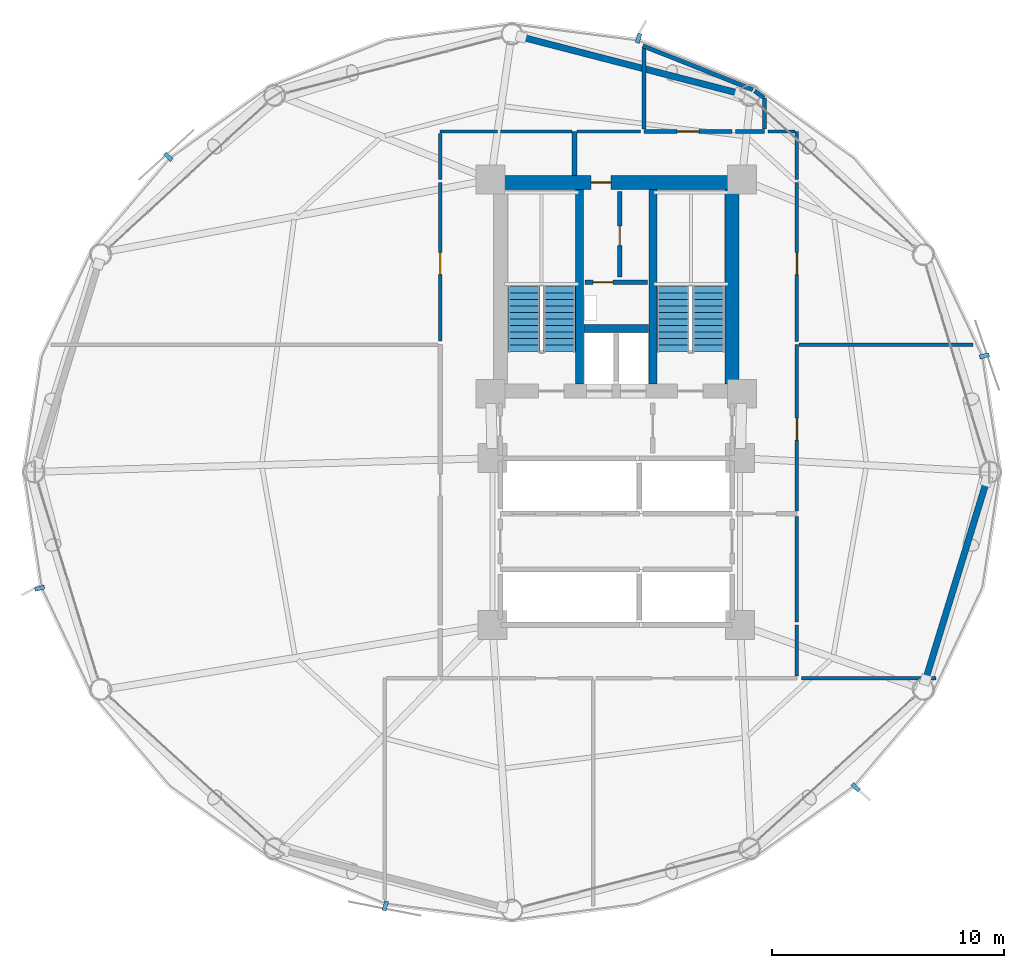
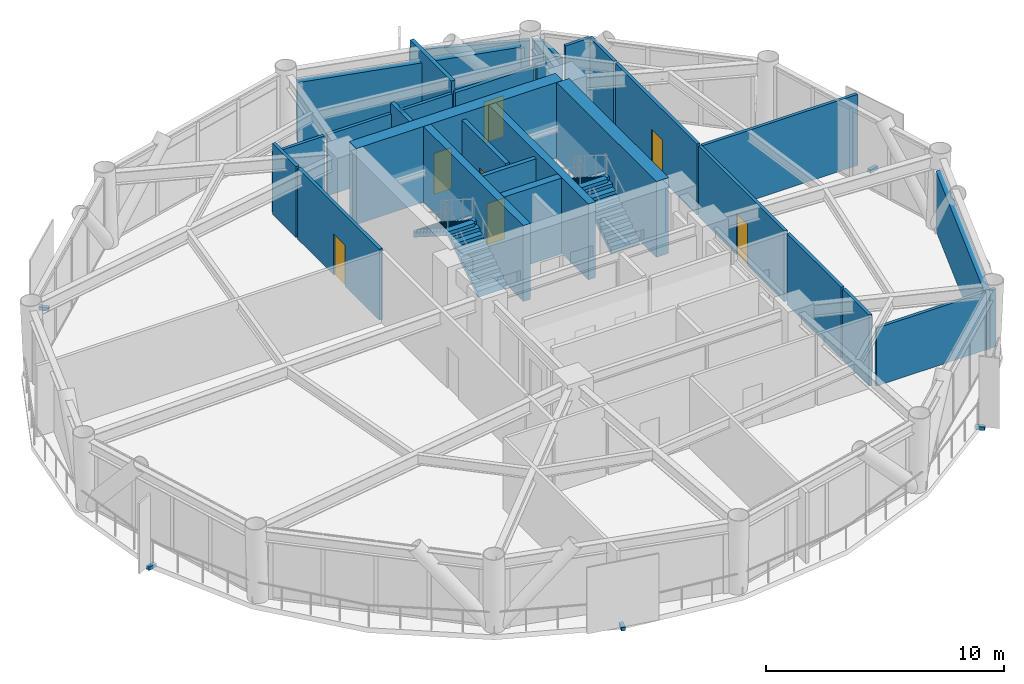
# One storey, part 22 of 25: 29 walls, 7 doors, 6 discrete accessories, 4 stair flights, 7 openings, 2 elements without a shape of their own.
"""IFC4 building model written with IfcOpenShell, lengths in metres."""

from ifc_helpers import new_model, si_unit, direction, frame, frame_2d, origin, origin_2d, place, context, subcontext, project, spatial, polyline, rectangle, outline, extrude, source, transform, mapped, material, layer, layer_set, type_object, type_shapes, element, fill, aggregate, save


model = new_model("IFC4")

# Units and contexts
model_context = context("Model", 3, precision=1e-05, world=origin(), true_north=direction((0.0, 1.0)))
body_context = subcontext(model_context, "Body", "Model", "MODEL_VIEW")
ifc_project = project(units=[si_unit("LENGTHUNIT", "METRE"), si_unit("AREAUNIT", "SQUARE_METRE"), si_unit("VOLUMEUNIT", "CUBIC_METRE"), si_unit("PLANEANGLEUNIT", "RADIAN"), si_unit("MASSUNIT", "GRAM", prefix="KILO")], contexts=[model_context])

# Site, building, storey
site_placement = place(None, origin())
site = spatial("IfcSite", under=ifc_project, at=site_placement, CompositionType="ELEMENT")
building_placement = place(site_placement, origin())
building = spatial("IfcBuilding", under=site, at=building_placement, Name="Varnakorn Sky Granary", CompositionType="ELEMENT")
storey_placement = place(building_placement, frame((0.0, 0.0, 39.300048828125)))
storey = spatial("IfcBuildingStorey", under=building, at=storey_placement, Name="L09", CompositionType="ELEMENT", Elevation=39.300048828125)

# Walls
ifc_material_1 = material(Name="Concrete C50/60", Category="concrete")
ifc_layer_1 = layer(ifc_material_1, 0.35009765625, Name="Concrete C50/60")
ifc_layer_set_1 = layer_set([ifc_layer_1], Name="Concrete C50/60")
wall_type_1 = type_object("IfcWallType", Name="WT-CW-INT-350", PredefinedType="SHEAR", material=ifc_layer_set_1)
for number, where, z_axis, x_axis, name in (
    (1, (1.419921875, 3.81005859375, 0.0), (0.0, 0.0, 1.0), (0.0, 1.0, 0.0), "Stair ST-1 Core Wall L09"),
    (2, (4.580078125, 3.81005859375, 0.0), (0.0, 0.0, 1.0), (0.0, 1.0, 0.0), "Stair ST-2 Core Wall L09"),
):
    element("IfcWall", number, at=place(storey_placement, frame(where, z_axis=z_axis, x_axis=x_axis)), inside=storey, type_object=wall_type_1, Name=name, PredefinedType="SHEAR", context=body_context, shape_type="SweptSolid", body=[
        extrude(rectangle(XDim=8.3798828125, YDim=0.35009765625, at=frame_2d((4.18994140625, 0.0))), origin(), (0.0, 0.0, 1.0), 3.891845703125),
    ])
wall_1_placement = place(storey_placement, frame((1.610107421875, 6.199951171875, 0.0), z_axis=(0.0, 0.0, 1.0), x_axis=(1.0, 0.0, 0.0)))
element("IfcWall", 3, at=wall_1_placement, inside=storey, type_object=wall_type_1, Name="Core Lift Shaft Cross Wall L09", PredefinedType="SHEAR", context=body_context, shape_type="SweptSolid", body=[
    extrude(rectangle(XDim=2.77978515625, YDim=0.35009765625, at=frame_2d((1.389892578125, 0.0))), origin(), (0.0, 0.0, 1.0), 3.891845703125),
])

# Wall, opening, door
ifc_material_2 = material(Name="Concrete C60/75", Category="concrete")
ifc_layer_2 = layer(ifc_material_2, 0.60009765625, Name="Concrete C60/75")
ifc_layer_set_2 = layer_set([ifc_layer_2], Name="Concrete C60/75")
wall_type_2 = type_object("IfcWallType", Name="WT-CW-SHEAR-600", PredefinedType="SHEAR", material=ifc_layer_set_2)
wall_2_placement = place(storey_placement, frame((-2.0, 12.5, 0.0), z_axis=(0.0, 0.0, 1.0), x_axis=(1.0, 0.0, 0.0)))
wall_2 = element("IfcWall", 4, at=wall_2_placement, inside=storey, type_object=wall_type_2, Name="Core North Shear Wall L09", PredefinedType="SHEAR", context=body_context, shape_type="SweptSolid", body=[
    extrude(rectangle(XDim=10.0, YDim=0.60009765625, at=frame_2d((5.0, 0.0))), origin(), (0.0, 0.0, 1.0), 3.891845703125),
])
opening_1_placement = place(wall_2_placement, frame((3.919921875, 0.0, 0.0)))
opening_1 = element("IfcOpeningElement", 5, at=opening_1_placement, cuts=wall_2, Name="Opening FD-60N", PredefinedType="OPENING", context=body_context, shape_type="SweptSolid", body=[
    extrude(rectangle(XDim=0.85009765625, YDim=2.10009765625, at=frame_2d((0.425048828125, 1.050048828125))), frame((0.0, 0.31005859375, 0.0), z_axis=(0.0, -1.0, 0.0), x_axis=(1.0, 0.0, 0.0)), (0.0, 0.0, 1.0), 0.6201171875),
])
ifc_material_3 = material(Name="Acoustic Timber Fire Leaf", Category="wood")
door_type_1 = type_object("IfcDoorType", Name="DR-FD60-850", OperationType="NOTDEFINED", PredefinedType="DOOR", material=ifc_material_3)
door_1_placement = place(opening_1_placement, origin())
door_1 = element("IfcDoor", 6, at=door_1_placement, inside=storey, type_object=door_type_1, Name="Core North Service Door L09", OperationType="SINGLE_SWING_LEFT", OverallHeight=2.10009765625, OverallWidth=0.85009765625, PredefinedType="DOOR", context=body_context, shape_type="SweptSolid", body=[
    extrude(rectangle(XDim=0.85009765625, YDim=2.10009765625, at=frame_2d((0.425048828125, 1.050048828125))), frame((0.0, 0.02490234375, 0.0), z_axis=(0.0, -1.0, 0.0), x_axis=(1.0, 0.0, 0.0)), (0.0, 0.0, 1.0), 0.050048828125),
])
fill(opening_1, door_1)

# Walls
wall_3_placement = place(storey_placement, frame((8.0, 3.81005859375, 0.0), z_axis=(0.0, 0.0, 1.0), x_axis=(0.0, 1.0, 0.0)))
element("IfcWall", 7, at=wall_3_placement, inside=storey, type_object=wall_type_2, Name="Core East Shear Wall L09", PredefinedType="SHEAR", context=body_context, shape_type="SweptSolid", body=[
    extrude(rectangle(XDim=8.3798828125, YDim=0.60009765625, at=frame_2d((4.18994140625, 0.0))), origin(), (0.0, 0.0, 1.0), 3.891845703125),
])
ifc_material_4 = material(Name="Precast concrete C40/50", Category="concrete")
ifc_layer_3 = layer(ifc_material_4, 0.280029296875, Name="Precast concrete C40/50")
ifc_layer_set_3 = layer_set([ifc_layer_3], Name="Precast concrete C40/50")
wall_type_3 = type_object("IfcWallType", Name="WT-EW-CRN-280", PredefinedType="SOLIDWALL", material=ifc_layer_set_3)
wall_4_placement = place(storey_placement, frame((-1.10107421875, 18.77978515625, 0.0), z_axis=(0.0, 0.0, 1.0), x_axis=(0.968156017529, -0.250347609779, 0.0)))
element("IfcWall", 8, at=wall_4_placement, inside=storey, type_object=wall_type_3, Name="Agritech Insulated Precast Facade Wall L09-P03", PredefinedType="SOLIDWALL", context=body_context, shape_type="SweptSolid", body=[
    extrude(rectangle(XDim=9.748046875, YDim=0.280029296875, at=frame_2d((4.8740234375, 0.0))), origin(), (0.0, 0.0, 1.0), 3.06005859375),
])
wall_5_placement = place(storey_placement, frame((18.985107421875, -0.393798828125, 0.0), z_axis=(0.0, 0.0, 1.0), x_axis=(-0.293459272164, -0.955971576764, 0.0)))
element("IfcWall", 9, at=wall_5_placement, inside=storey, type_object=wall_type_3, Name="Agritech Insulated Precast Facade Wall L09-P12", PredefinedType="SOLIDWALL", context=body_context, shape_type="SweptSolid", body=[
    extrude(rectangle(XDim=8.981689453125, YDim=0.280029296875, at=frame_2d((4.49072265625, 0.0))), origin(), (0.0, 0.0, 1.0), 3.06005859375),
])

# Wall, opening, door
ifc_material_5 = material(Name="Autoclaved Aerated Concrete Blockwork", Category="masonry")
ifc_layer_4 = layer(ifc_material_5, 0.199951171875, Name="Autoclaved Aerated Concrete Blockwork")
ifc_layer_set_4 = layer_set([ifc_layer_4], Name="Autoclaved Aerated Concrete Blockwork")
wall_type_4 = type_object("IfcWallType", Name="WT-FIRE-200", PredefinedType="MOVABLE", material=ifc_layer_set_4)
wall_6_placement = place(storey_placement, frame((1.64990234375, 8.199951171875, 0.0), z_axis=(0.0, 0.0, 1.0), x_axis=(1.0, 0.0, 0.0)))
wall_6 = element("IfcWall", 10, at=wall_6_placement, inside=storey, type_object=wall_type_4, Name="Interior Partition Wall L09-015", PredefinedType="MOVABLE", context=body_context, shape_type="SweptSolid", body=[
    extrude(rectangle(XDim=2.7001953125, YDim=0.199951171875, at=frame_2d((1.35009765625, 0.0))), origin(), (0.0, 0.0, 1.0), 3.639892578125),
])
opening_2_placement = place(wall_6_placement, frame((0.35009765625, 0.0, 0.0)))
opening_2 = element("IfcOpeningElement", 11, at=opening_2_placement, cuts=wall_6, Name="Opening FD-60N", PredefinedType="OPENING", context=body_context, shape_type="SweptSolid", body=[
    extrude(rectangle(XDim=0.85009765625, YDim=2.10009765625, at=frame_2d((0.425048828125, 1.050048828125))), frame((0.0, 0.10986328125, 0.0), z_axis=(0.0, -1.0, 0.0), x_axis=(1.0, 0.0, 0.0)), (0.0, 0.0, 1.0), 0.219970703125),
])
door_2_placement = place(opening_2_placement, origin())
door_2 = element("IfcDoor", 12, at=door_2_placement, inside=storey, type_object=door_type_1, Name="Interior Door L09-015-1", OperationType="SINGLE_SWING_RIGHT", OverallHeight=2.10009765625, OverallWidth=0.85009765625, PredefinedType="DOOR", context=body_context, shape_type="SweptSolid", body=[
    extrude(rectangle(XDim=0.85009765625, YDim=2.10009765625, at=frame_2d((0.425048828125, 1.050048828125))), frame((0.0, 0.02490234375, 0.0), z_axis=(0.0, -1.0, 0.0), x_axis=(1.0, 0.0, 0.0)), (0.0, 0.0, 1.0), 0.050048828125),
])
fill(opening_2, door_2)

wall_7_placement = place(storey_placement, frame((3.14990234375, 8.429931640625, 0.0), z_axis=(0.0, 0.0, 1.0), x_axis=(0.0, 1.0, 0.0)))
wall_7 = element("IfcWall", 13, at=wall_7_placement, inside=storey, type_object=wall_type_4, Name="Interior Partition Wall L09-016", PredefinedType="MOVABLE", context=body_context, shape_type="SweptSolid", body=[
    extrude(rectangle(XDim=3.670166015625, YDim=0.199951171875, at=frame_2d((1.8349609375, 0.0))), origin(), (0.0, 0.0, 1.0), 3.639892578125),
])
opening_3_placement = place(wall_7_placement, frame((1.340087890625, 0.0, 0.0)))
opening_3 = element("IfcOpeningElement", 14, at=opening_3_placement, cuts=wall_7, Name="Opening FD-60N", PredefinedType="OPENING", context=body_context, shape_type="SweptSolid", body=[
    extrude(rectangle(XDim=0.85009765625, YDim=2.10009765625, at=frame_2d((0.425048828125, 1.050048828125))), frame((0.0, 0.10986328125, 0.0), z_axis=(0.0, -1.0, 0.0), x_axis=(1.0, 0.0, 0.0)), (0.0, 0.0, 1.0), 0.219970703125),
])
door_3_placement = place(opening_3_placement, origin())
door_3 = element("IfcDoor", 15, at=door_3_placement, inside=storey, type_object=door_type_1, Name="Interior Door L09-016-1", OperationType="SINGLE_SWING_LEFT", OverallHeight=2.10009765625, OverallWidth=0.85009765625, PredefinedType="DOOR", context=body_context, shape_type="SweptSolid", body=[
    extrude(rectangle(XDim=0.85009765625, YDim=2.10009765625, at=frame_2d((0.425048828125, 1.050048828125))), frame((0.0, 0.02490234375, 0.0), z_axis=(0.0, -1.0, 0.0), x_axis=(1.0, 0.0, 0.0)), (0.0, 0.0, 1.0), 0.050048828125),
])
fill(opening_3, door_3)

# Wall
wall_8_placement = place(storey_placement, frame((1.199951171875, 14.699951171875, 0.0), z_axis=(0.0, 0.0, 1.0), x_axis=(0.0, -1.0, 0.0)))
element("IfcWall", 16, at=wall_8_placement, inside=storey, type_object=wall_type_4, Name="Interior Partition Wall L09-031", PredefinedType="MOVABLE", context=body_context, shape_type="SweptSolid", body=[
    extrude(rectangle(XDim=1.889892578125, YDim=0.199951171875, at=frame_2d((0.94482421875, 0.0))), origin(), (0.0, 0.0, 1.0), 3.639892578125),
])

# Wall, opening, door
ifc_material_6 = material(Name="Gypsum Plasterboard on Steel Stud", Category="steel")
ifc_layer_5 = layer(ifc_material_6, 0.14990234375, Name="Gypsum Plasterboard on Steel Stud")
ifc_layer_set_5 = layer_set([ifc_layer_5], Name="Gypsum Plasterboard on Steel Stud")
wall_type_5 = type_object("IfcWallType", Name="WT-PART-150", PredefinedType="PARTITIONING", material=ifc_layer_set_5)
wall_9_placement = place(storey_placement, frame((10.800048828125, -1.68994140625, 0.0), z_axis=(0.0, 0.0, 1.0), x_axis=(0.0, 1.0, 0.0)))
wall_9 = element("IfcWall", 17, at=wall_9_placement, inside=storey, type_object=wall_type_5, Name="Interior Partition Wall L09-027", PredefinedType="PARTITIONING", context=body_context, shape_type="SweptSolid", body=[
    extrude(rectangle(XDim=7.18994140625, YDim=0.14990234375, at=frame_2d((3.594970703125, 0.0))), origin(), (0.0, 0.0, 1.0), 3.639892578125),
])
opening_4_placement = place(wall_9_placement, frame((3.06494140625, 0.0, 0.0)))
opening_4 = element("IfcOpeningElement", 18, at=opening_4_placement, cuts=wall_9, Name="Opening ID-95", PredefinedType="OPENING", context=body_context, shape_type="SweptSolid", body=[
    extrude(rectangle(XDim=0.949951171875, YDim=2.10009765625, at=frame_2d((0.47509765625, 1.050048828125))), frame((0.0, 0.0849609375, 0.0), z_axis=(0.0, -1.0, 0.0), x_axis=(1.0, 0.0, 0.0)), (0.0, 0.0, 1.0), 0.169921875),
])
ifc_material_7 = material(Name="Solid-Core Teak Veneer Leaf", Category="timber")
door_type_2 = type_object("IfcDoorType", Name="DR-INT-950", OperationType="NOTDEFINED", PredefinedType="DOOR", material=ifc_material_7)
door_4_placement = place(opening_4_placement, origin())
door_4 = element("IfcDoor", 19, at=door_4_placement, inside=storey, type_object=door_type_2, Name="Interior Door L09-027-1", OperationType="SINGLE_SWING_RIGHT", OverallHeight=2.10009765625, OverallWidth=0.949951171875, PredefinedType="DOOR", context=body_context, shape_type="SweptSolid", body=[
    extrude(rectangle(XDim=0.949951171875, YDim=2.10009765625, at=frame_2d((0.47509765625, 1.050048828125))), frame((0.0, 0.02490234375, 0.0), z_axis=(0.0, -1.0, 0.0), x_axis=(1.0, 0.0, 0.0)), (0.0, 0.0, 1.0), 0.050048828125),
])
fill(opening_4, door_4)

wall_10_placement = place(storey_placement, frame((-4.60009765625, 12.5, 0.0), z_axis=(0.0, 0.0, 1.0), x_axis=(0.0, -1.0, 0.0)))
wall_10 = element("IfcWall", 20, at=wall_10_placement, inside=storey, type_object=wall_type_5, Name="Interior Partition Wall L09-028", PredefinedType="PARTITIONING", context=body_context, shape_type="SweptSolid", body=[
    extrude(rectangle(XDim=6.85009765625, YDim=0.14990234375, at=frame_2d((3.425048828125, 0.0))), origin(), (0.0, 0.0, 1.0), 3.639892578125),
])
opening_5_placement = place(wall_10_placement, frame((3.02490234375, 0.0, 0.0)))
opening_5 = element("IfcOpeningElement", 21, at=opening_5_placement, cuts=wall_10, Name="Opening ID-95", PredefinedType="OPENING", context=body_context, shape_type="SweptSolid", body=[
    extrude(rectangle(XDim=0.949951171875, YDim=2.10009765625, at=frame_2d((0.47509765625, 1.050048828125))), frame((0.0, 0.0849609375, 0.0), z_axis=(0.0, -1.0, 0.0), x_axis=(1.0, 0.0, 0.0)), (0.0, 0.0, 1.0), 0.169921875),
])
door_5_placement = place(opening_5_placement, origin())
door_5 = element("IfcDoor", 22, at=door_5_placement, inside=storey, type_object=door_type_2, Name="Interior Door L09-028-1", OperationType="SINGLE_SWING_LEFT", OverallHeight=2.10009765625, OverallWidth=0.949951171875, PredefinedType="DOOR", context=body_context, shape_type="SweptSolid", body=[
    extrude(rectangle(XDim=0.949951171875, YDim=2.10009765625, at=frame_2d((0.47509765625, 1.050048828125))), frame((0.0, 0.02490234375, 0.0), z_axis=(0.0, -1.0, 0.0), x_axis=(1.0, 0.0, 0.0)), (0.0, 0.0, 1.0), 0.050048828125),
])
fill(opening_5, door_5)

wall_11_placement = place(storey_placement, frame((10.800048828125, 5.635009765625, 0.0), z_axis=(0.0, 0.0, 1.0), x_axis=(0.0, 1.0, 0.0)))
wall_11 = element("IfcWall", 23, at=wall_11_placement, inside=storey, type_object=wall_type_5, Name="Interior Partition Wall L09-029", PredefinedType="PARTITIONING", context=body_context, shape_type="SweptSolid", body=[
    extrude(rectangle(XDim=6.864990234375, YDim=0.14990234375, at=frame_2d((3.4326171875, 0.0))), origin(), (0.0, 0.0, 1.0), 3.639892578125),
])
opening_6_placement = place(wall_11_placement, frame((2.889892578125, 0.0, 0.0)))
opening_6 = element("IfcOpeningElement", 24, at=opening_6_placement, cuts=wall_11, Name="Opening ID-95", PredefinedType="OPENING", context=body_context, shape_type="SweptSolid", body=[
    extrude(rectangle(XDim=0.949951171875, YDim=2.10009765625, at=frame_2d((0.47509765625, 1.050048828125))), frame((0.0, 0.0849609375, 0.0), z_axis=(0.0, -1.0, 0.0), x_axis=(1.0, 0.0, 0.0)), (0.0, 0.0, 1.0), 0.169921875),
])
door_6_placement = place(opening_6_placement, origin())
door_6 = element("IfcDoor", 25, at=door_6_placement, inside=storey, type_object=door_type_2, Name="Interior Door L09-029-1", OperationType="SINGLE_SWING_RIGHT", OverallHeight=2.10009765625, OverallWidth=0.949951171875, PredefinedType="DOOR", context=body_context, shape_type="SweptSolid", body=[
    extrude(rectangle(XDim=0.949951171875, YDim=2.10009765625, at=frame_2d((0.47509765625, 1.050048828125))), frame((0.0, 0.02490234375, 0.0), z_axis=(0.0, -1.0, 0.0), x_axis=(1.0, 0.0, 0.0)), (0.0, 0.0, 1.0), 0.050048828125),
])
fill(opening_6, door_6)

# Walls
wall_12_placement = place(storey_placement, frame((11.0, -8.89990234375, 0.0), z_axis=(0.0, 0.0, 1.0), x_axis=(1.0, 0.0, 0.0)))
element("IfcWall", 26, at=wall_12_placement, inside=storey, type_object=wall_type_5, Name="Interior Partition Wall L09-038", PredefinedType="PARTITIONING", context=body_context, shape_type="SweptSolid", body=[
    extrude(rectangle(XDim=5.7939453125, YDim=0.14990234375, at=frame_2d((2.89697265625, 0.0))), origin(), (0.0, 0.0, 1.0), 2.971923828125),
])
wall_13_placement = place(storey_placement, frame((10.800048828125, -8.81494140625, 0.0), z_axis=(0.0, 0.0, 1.0), x_axis=(0.0, 1.0, 0.0)))
element("IfcWall", 27, at=wall_13_placement, inside=storey, type_object=wall_type_5, Name="Interior Partition Wall L09-041", PredefinedType="PARTITIONING", context=body_context, shape_type="SweptSolid", body=[
    extrude(rectangle(XDim=2.21484375, YDim=0.14990234375, at=frame_2d((1.107421875, 0.0))), origin(), (0.0, 0.0, 1.0), 3.639892578125),
])
wall_14_placement = place(storey_placement, frame((10.800048828125, -6.465087890625, 0.0), z_axis=(0.0, 0.0, 1.0), x_axis=(0.0, 1.0, 0.0)))
element("IfcWall", 28, at=wall_14_placement, inside=storey, type_object=wall_type_5, Name="Interior Partition Wall L09-042", PredefinedType="PARTITIONING", context=body_context, shape_type="SweptSolid", body=[
    extrude(rectangle(XDim=4.55517578125, YDim=0.14990234375, at=frame_2d((2.277587890625, 0.0))), origin(), (0.0, 0.0, 1.0), 3.639892578125),
])
wall_15_placement = place(storey_placement, frame((10.885009765625, 5.5, 0.0), z_axis=(0.0, 0.0, 1.0), x_axis=(1.0, 0.0, 0.0)))
element("IfcWall", 29, at=wall_15_placement, inside=storey, type_object=wall_type_5, Name="Interior Partition Wall L09-043", PredefinedType="PARTITIONING", context=body_context, shape_type="SweptSolid", body=[
    extrude(rectangle(XDim=7.51708984375, YDim=0.14990234375, at=frame_2d((3.758544921875, 0.0))), origin(), (0.0, 0.0, 1.0), 3.639892578125),
])
wall_16_placement = place(storey_placement, frame((1.090087890625, 14.699951171875, 0.0), z_axis=(0.0, 0.0, 1.0), x_axis=(-1.0, 0.0, 0.0)))
element("IfcWall", 30, at=wall_16_placement, inside=storey, type_object=wall_type_5, Name="Interior Partition Wall L09-044", PredefinedType="PARTITIONING", context=body_context, shape_type="SweptSolid", body=[
    extrude(rectangle(XDim=3.090087890625, YDim=0.14990234375, at=frame_2d((1.544921875, 0.0))), origin(), (0.0, 0.0, 1.0), 3.1220703125),
])
wall_17_placement = place(storey_placement, frame((-2.135009765625, 14.699951171875, 0.0), z_axis=(0.0, 0.0, 1.0), x_axis=(-1.0, 0.0, 0.0)))
element("IfcWall", 31, at=wall_17_placement, inside=storey, type_object=wall_type_5, Name="Interior Partition Wall L09-045", PredefinedType="PARTITIONING", context=body_context, shape_type="SweptSolid", body=[
    extrude(rectangle(XDim=2.465087890625, YDim=0.14990234375, at=frame_2d((1.232421875, 0.0))), origin(), (0.0, 0.0, 1.0), 3.1220703125),
])
wall_18_placement = place(storey_placement, frame((-4.60009765625, 14.614990234375, 0.0), z_axis=(0.0, 0.0, 1.0), x_axis=(0.0, -1.0, 0.0)))
element("IfcWall", 32, at=wall_18_placement, inside=storey, type_object=wall_type_5, Name="Interior Partition Wall L09-046", PredefinedType="PARTITIONING", context=body_context, shape_type="SweptSolid", body=[
    extrude(rectangle(XDim=1.97998046875, YDim=0.14990234375, at=frame_2d((0.989990234375, 0.0))), origin(), (0.0, 0.0, 1.0), 3.639892578125),
])
wall_19_placement = place(storey_placement, frame((4.050048828125, 14.699951171875, 0.0), z_axis=(0.0, 0.0, 1.0), x_axis=(-1.0, 0.0, 0.0)))
element("IfcWall", 33, at=wall_19_placement, inside=storey, type_object=wall_type_5, Name="Interior Partition Wall L09-047", PredefinedType="PARTITIONING", context=body_context, shape_type="SweptSolid", body=[
    extrude(rectangle(XDim=2.739990234375, YDim=0.14990234375, at=frame_2d((1.3701171875, 0.0))), origin(), (0.0, 0.0, 1.0), 3.1220703125),
])
wall_20_placement = place(storey_placement, frame((10.800048828125, 12.635009765625, 0.0), z_axis=(0.0, 0.0, 1.0), x_axis=(0.0, 1.0, 0.0)))
element("IfcWall", 34, at=wall_20_placement, inside=storey, type_object=wall_type_5, Name="Interior Partition Wall L09-050", PredefinedType="PARTITIONING", context=body_context, shape_type="SweptSolid", body=[
    extrude(rectangle(XDim=2.06494140625, YDim=0.14990234375, at=frame_2d((1.032470703125, 0.0))), origin(), (0.0, 0.0, 1.0), 3.639892578125),
])
wall_21_placement = place(storey_placement, frame((10.715087890625, 14.699951171875, 0.0), z_axis=(0.0, 0.0, 1.0), x_axis=(-1.0, 0.0, 0.0)))
element("IfcWall", 35, at=wall_21_placement, inside=storey, type_object=wall_type_5, Name="Interior Partition Wall L09-051", PredefinedType="PARTITIONING", context=body_context, shape_type="SweptSolid", body=[
    extrude(rectangle(XDim=1.1650390625, YDim=0.14990234375, at=frame_2d((0.58251953125, 0.0))), origin(), (0.0, 0.0, 1.0), 3.639892578125),
])

# Wall, opening, door
ifc_material_8 = material(Name="Moisture-Resistant Gypsum on Stud", Category="gypsum")
ifc_layer_6 = layer(ifc_material_8, 0.179931640625, Name="Moisture-Resistant Gypsum on Stud")
ifc_layer_set_6 = layer_set([ifc_layer_6], Name="Moisture-Resistant Gypsum on Stud")
wall_type_6 = type_object("IfcWallType", Name="WT-PLUMB-180", PredefinedType="PLUMBINGWALL", material=ifc_layer_set_6)
wall_22_placement = place(storey_placement, frame((8.0, 14.699951171875, 0.0), z_axis=(0.0, 0.0, 1.0), x_axis=(-1.0, 0.0, 0.0)))
wall_22 = element("IfcWall", 36, at=wall_22_placement, inside=storey, type_object=wall_type_6, Name="Interior Partition Wall L09-023", PredefinedType="PLUMBINGWALL", context=body_context, shape_type="SweptSolid", body=[
    extrude(rectangle(XDim=3.800048828125, YDim=0.179931640625, at=frame_2d((1.89990234375, 0.0))), origin(), (0.0, 0.0, 1.0), 3.1220703125),
])
opening_7_placement = place(wall_22_placement, frame((1.425048828125, 0.0, 0.0)))
opening_7 = element("IfcOpeningElement", 37, at=opening_7_placement, cuts=wall_22, Name="Opening ID-95", PredefinedType="OPENING", context=body_context, shape_type="SweptSolid", body=[
    extrude(rectangle(XDim=0.949951171875, YDim=2.10009765625, at=frame_2d((0.47509765625, 1.050048828125))), frame((0.0, 0.10009765625, 0.0), z_axis=(0.0, -1.0, 0.0), x_axis=(1.0, 0.0, 0.0)), (0.0, 0.0, 1.0), 0.199951171875),
])
door_7_placement = place(opening_7_placement, origin())
door_7 = element("IfcDoor", 38, at=door_7_placement, inside=storey, type_object=door_type_2, Name="Interior Door L09-023-1", OperationType="SINGLE_SWING_RIGHT", OverallHeight=2.10009765625, OverallWidth=0.949951171875, PredefinedType="DOOR", context=body_context, shape_type="SweptSolid", body=[
    extrude(rectangle(XDim=0.949951171875, YDim=2.10009765625, at=frame_2d((0.47509765625, 1.050048828125))), frame((0.0, 0.02490234375, 0.0), z_axis=(0.0, -1.0, 0.0), x_axis=(1.0, 0.0, 0.0)), (0.0, 0.0, 1.0), 0.050048828125),
])
fill(opening_7, door_7)

# Walls
wall_23_placement = place(storey_placement, frame((9.39990234375, 14.699951171875, 0.0), z_axis=(0.0, 0.0, 1.0), x_axis=(-1.0, 0.0, 0.0)))
element("IfcWall", 39, at=wall_23_placement, inside=storey, type_object=wall_type_6, Name="Interior Partition Wall L09-032", PredefinedType="PLUMBINGWALL", context=body_context, shape_type="SweptSolid", body=[
    extrude(rectangle(XDim=1.25, YDim=0.179931640625, at=frame_2d((0.625, 0.0))), origin(), (0.0, 0.0, 1.0), 3.1220703125),
])
wall_24_placement = place(storey_placement, frame((4.14404296875, 18.39892578125, 0.0), z_axis=(0.0, 0.0, 1.0), x_axis=(0.928766373998, -0.370665647897, 0.0)))
element("IfcWall", 40, at=wall_24_placement, inside=storey, type_object=wall_type_6, Name="Interior Partition Wall L09-048", PredefinedType="PLUMBINGWALL", context=body_context, shape_type="SweptSolid", body=[
    extrude(rectangle(XDim=5.10986328125, YDim=0.179931640625, at=frame_2d((2.554931640625, 0.0))), origin(), (0.0, 0.0, 1.0), 3.072021484375),
])
wall_25_placement = place(storey_placement, frame((4.199951171875, 18.27587890625, 0.0), z_axis=(0.0, 0.0, 1.0), x_axis=(0.0, -1.0, 0.0)))
element("IfcWall", 41, at=wall_25_placement, inside=storey, type_object=wall_type_6, Name="Interior Partition Wall L09-049", PredefinedType="PLUMBINGWALL", context=body_context, shape_type="SweptSolid", body=[
    extrude(rectangle(XDim=3.475830078125, YDim=0.179931640625, at=frame_2d((1.73779296875, 0.0))), origin(), (0.0, 0.0, 1.0), 3.639892578125),
])
wall_26_placement = place(storey_placement, frame((9.39990234375, 14.800048828125, 0.0), z_axis=(0.0, 0.0, 1.0), x_axis=(0.0, 1.0, 0.0)))
element("IfcWall", 42, at=wall_26_placement, inside=storey, type_object=wall_type_6, Name="Interior Partition Wall L09-052", PredefinedType="PLUMBINGWALL", context=body_context, shape_type="SweptSolid", body=[
    extrude(rectangle(XDim=1.33984375, YDim=0.179931640625, at=frame_2d((0.669921875, 0.0))), origin(), (0.0, 0.0, 1.0), 2.971923828125),
])
wall_27_placement = place(storey_placement, frame((8.970947265625, 16.447021484375, 0.0), z_axis=(0.0, 0.0, 1.0), x_axis=(0.813174117439, -0.582020493391, 0.0)))
element("IfcWall", 43, at=wall_27_placement, inside=storey, type_object=wall_type_6, Name="Interior Partition Wall L09-053", PredefinedType="PLUMBINGWALL", context=body_context, shape_type="SweptSolid", body=[
    extrude(rectangle(XDim=0.501708984375, YDim=0.179931640625, at=frame_2d((0.2509765625, 0.0))), origin(), (0.0, 0.0, 1.0), 3.072021484375),
])

# Stair, stair flights
ifc_material_9 = material(Name="Concrete C40/50", Category="concrete")
stair_type = type_object("IfcStairType", Name="ST-MAIN-ASSEMBLY", PredefinedType="HALF_TURN_STAIR", material=ifc_material_9)
stair_1_placement = place(storey_placement, origin())
stair_1 = element("IfcStair", 44, at=stair_1_placement, inside=storey, type_object=stair_type, Name="L09 Protected Exit Stair ST-1", PredefinedType="HALF_TURN_STAIR")
stair_flight_type = type_object("IfcStairFlightType", Name="ST-MAIN-FLIGHT", PredefinedType="STRAIGHT", material=ifc_material_9)
stair_flight_1_placement = place(storey_placement, frame((0.550048828125, 5.199951171875, 0.0), z_axis=(0.0, 0.0, 1.0), x_axis=(0.0, 1.0, 0.0)))
stair_flight_1 = element("IfcStairFlight", 45, at=stair_flight_1_placement, type_object=stair_flight_type, Name="ST-1 flight 1", NumberOfRisers=11, NumberOfTreads=10, PredefinedType="STRAIGHT", RiserHeight=0.177272727, TreadLength=0.28, context=body_context, shape_type="SweptSolid", body=[
    extrude(outline(polyline([(0.0, -0.14990234375), (0.0, 0.0), (0.0, 0.17724609375), (0.280029296875, 0.17724609375), (0.280029296875, 0.3544921875), (0.56005859375, 0.3544921875), (0.56005859375, 0.53173828125), (0.840087890625, 0.53173828125), (0.840087890625, 0.708984375), (1.1201171875, 0.708984375), (1.1201171875, 0.886474609375), (1.39990234375, 0.886474609375), (1.39990234375, 1.063720703125), (1.679931640625, 1.063720703125), (1.679931640625, 1.240966796875), (1.9599609375, 1.240966796875), (1.9599609375, 1.418212890625), (2.239990234375, 1.418212890625), (2.239990234375, 1.595458984375), (2.52001953125, 1.595458984375), (2.52001953125, 1.772705078125), (2.800048828125, 1.772705078125), (2.800048828125, 1.949951171875), (2.800048828125, 1.59521484375), (0.050048828125, -0.14990234375), (0.0, -0.14990234375)])), frame((0.0, 0.68994140625, 0.0), z_axis=(0.0, -1.0, 0.0), x_axis=(1.0, 0.0, 0.0)), (0.0, 0.0, 1.0), 1.3798828125),
])
stair_flight_2_placement = place(storey_placement, frame((-0.97998046875, 8.0, 1.949951171875), z_axis=(0.0, 0.0, 1.0), x_axis=(0.0, -1.0, 0.0)))
stair_flight_2 = element("IfcStairFlight", 46, at=stair_flight_2_placement, type_object=stair_flight_type, Name="ST-1 flight 2", NumberOfRisers=11, NumberOfTreads=10, PredefinedType="STRAIGHT", RiserHeight=0.177272727, TreadLength=0.28, context=body_context, shape_type="SweptSolid", body=[
    extrude(outline(polyline([(0.0, -0.14990234375), (0.0, 0.0), (0.0, 0.17724609375), (0.280029296875, 0.17724609375), (0.280029296875, 0.3544921875), (0.56005859375, 0.3544921875), (0.56005859375, 0.53173828125), (0.840087890625, 0.53173828125), (0.840087890625, 0.708984375), (1.1201171875, 0.708984375), (1.1201171875, 0.886474609375), (1.39990234375, 0.886474609375), (1.39990234375, 1.063720703125), (1.679931640625, 1.063720703125), (1.679931640625, 1.240966796875), (1.9599609375, 1.240966796875), (1.9599609375, 1.418212890625), (2.239990234375, 1.418212890625), (2.239990234375, 1.595458984375), (2.52001953125, 1.595458984375), (2.52001953125, 1.772705078125), (2.800048828125, 1.772705078125), (2.800048828125, 1.949951171875), (2.800048828125, 1.59521484375), (0.050048828125, -0.14990234375), (0.0, -0.14990234375)])), frame((0.0, 0.68994140625, 0.0), z_axis=(0.0, -1.0, 0.0), x_axis=(1.0, 0.0, 0.0)), (0.0, 0.0, 1.0), 1.3798828125),
])
aggregate(stair_1, [stair_flight_1, stair_flight_2])

stair_2_placement = place(storey_placement, origin())
stair_2 = element("IfcStair", 47, at=stair_2_placement, inside=storey, type_object=stair_type, Name="L09 Protected Exit Stair ST-2", PredefinedType="HALF_TURN_STAIR")
stair_flight_3_placement = place(storey_placement, frame((6.989990234375, 5.199951171875, 0.0), z_axis=(0.0, 0.0, 1.0), x_axis=(0.0, 1.0, 0.0)))
stair_flight_3 = element("IfcStairFlight", 48, at=stair_flight_3_placement, type_object=stair_flight_type, Name="ST-2 flight 1", NumberOfRisers=11, NumberOfTreads=10, PredefinedType="STRAIGHT", RiserHeight=0.177272727, TreadLength=0.28, context=body_context, shape_type="SweptSolid", body=[
    extrude(outline(polyline([(0.0, -0.14990234375), (0.0, 0.0), (0.0, 0.17724609375), (0.280029296875, 0.17724609375), (0.280029296875, 0.3544921875), (0.56005859375, 0.3544921875), (0.56005859375, 0.53173828125), (0.840087890625, 0.53173828125), (0.840087890625, 0.708984375), (1.1201171875, 0.708984375), (1.1201171875, 0.886474609375), (1.39990234375, 0.886474609375), (1.39990234375, 1.063720703125), (1.679931640625, 1.063720703125), (1.679931640625, 1.240966796875), (1.9599609375, 1.240966796875), (1.9599609375, 1.418212890625), (2.239990234375, 1.418212890625), (2.239990234375, 1.595458984375), (2.52001953125, 1.595458984375), (2.52001953125, 1.772705078125), (2.800048828125, 1.772705078125), (2.800048828125, 1.949951171875), (2.800048828125, 1.59521484375), (0.050048828125, -0.14990234375), (0.0, -0.14990234375)])), frame((0.0, 0.68994140625, 0.0), z_axis=(0.0, -1.0, 0.0), x_axis=(1.0, 0.0, 0.0)), (0.0, 0.0, 1.0), 1.3798828125),
])
stair_flight_4_placement = place(storey_placement, frame((5.4599609375, 8.0, 1.949951171875), z_axis=(0.0, 0.0, 1.0), x_axis=(0.0, -1.0, 0.0)))
stair_flight_4 = element("IfcStairFlight", 49, at=stair_flight_4_placement, type_object=stair_flight_type, Name="ST-2 flight 2", NumberOfRisers=11, NumberOfTreads=10, PredefinedType="STRAIGHT", RiserHeight=0.177272727, TreadLength=0.28, context=body_context, shape_type="SweptSolid", body=[
    extrude(outline(polyline([(0.0, -0.14990234375), (0.0, 0.0), (0.0, 0.17724609375), (0.280029296875, 0.17724609375), (0.280029296875, 0.3544921875), (0.56005859375, 0.3544921875), (0.56005859375, 0.53173828125), (0.840087890625, 0.53173828125), (0.840087890625, 0.708984375), (1.1201171875, 0.708984375), (1.1201171875, 0.886474609375), (1.39990234375, 0.886474609375), (1.39990234375, 1.063720703125), (1.679931640625, 1.063720703125), (1.679931640625, 1.240966796875), (1.9599609375, 1.240966796875), (1.9599609375, 1.418212890625), (2.239990234375, 1.418212890625), (2.239990234375, 1.595458984375), (2.52001953125, 1.595458984375), (2.52001953125, 1.772705078125), (2.800048828125, 1.772705078125), (2.800048828125, 1.949951171875), (2.800048828125, 1.59521484375), (0.050048828125, -0.14990234375), (0.0, -0.14990234375)])), frame((0.0, 0.68994140625, 0.0), z_axis=(0.0, -1.0, 0.0), x_axis=(1.0, 0.0, 0.0)), (0.0, 0.0, 1.0), 1.3798828125),
])
aggregate(stair_2, [stair_flight_3, stair_flight_4])

# Discrete accessories
ifc_material_10 = material(Name="Steel S355JR", Category="steel")
discrete_accessory_type = type_object("IfcDiscreteAccessoryType", Name="AC-BRK-01", PredefinedType="BRACKET", material=ifc_material_10)
shared_shape = source(origin(), body_context, "Body", "SweptSolid", [
    extrude(rectangle(XDim=0.179931640625, YDim=0.419921875, at=origin_2d()), origin(), (0.0, 0.0, 1.0), 0.179931640625),
])
type_shapes(discrete_accessory_type, [shared_shape])
for number, where, z_axis, x_axis, name in (
    (50, (18.89208984375, 5.015625, -0.2001953125), (0.0, 0.0, 1.0), (-0.238836540494, 0.971059785453, 0.0), "Facade Solar-Screen Outrigger Bracket L09-01"),
    (51, (3.966552734375, 18.726806640625, -0.2001953125), (0.0, 0.0, 1.0), (-0.95993695195, 0.280216074273, 0.0), "Facade Solar-Screen Outrigger Bracket L09-03"),
    (52, (-16.335693359375, 13.610107421875, -0.2001953125), (0.0, 0.0, 1.0), (-0.676013746272, -0.736889011216, 0.0), "Facade Solar-Screen Outrigger Bracket L09-05"),
    (53, (-21.89208984375, -5.015625, -0.2001953125), (0.0, 0.0, 1.0), (0.238836540494, -0.971059785453, 0.0), "Facade Solar-Screen Outrigger Bracket L09-07"),
    (54, (-6.966552734375, -18.726806640625, -0.2001953125), (0.0, 0.0, 1.0), (0.95993695195, -0.280216074273, 0.0), "Facade Solar-Screen Outrigger Bracket L09-09"),
    (55, (13.335693359375, -13.610107421875, -0.2001953125), (0.0, 0.0, 1.0), (0.676013746272, 0.736889011216, 0.0), "Facade Solar-Screen Outrigger Bracket L09-11"),
):
    element("IfcDiscreteAccessory", number, at=place(storey_placement, frame(where, z_axis=z_axis, x_axis=x_axis)), inside=storey, type_object=discrete_accessory_type, Name=name, PredefinedType="BRACKET", context=body_context, shape_type="MappedRepresentation", body=[
        mapped(shared_shape, transform((0.0, 0.0, 0.0), x_axis=(1.0, 0.0, 0.0), y_axis=(0.0, 1.0, 0.0), z_axis=(0.0, 0.0, 1.0), scale=1.0)),
    ])

save(model, "model.ifc")
